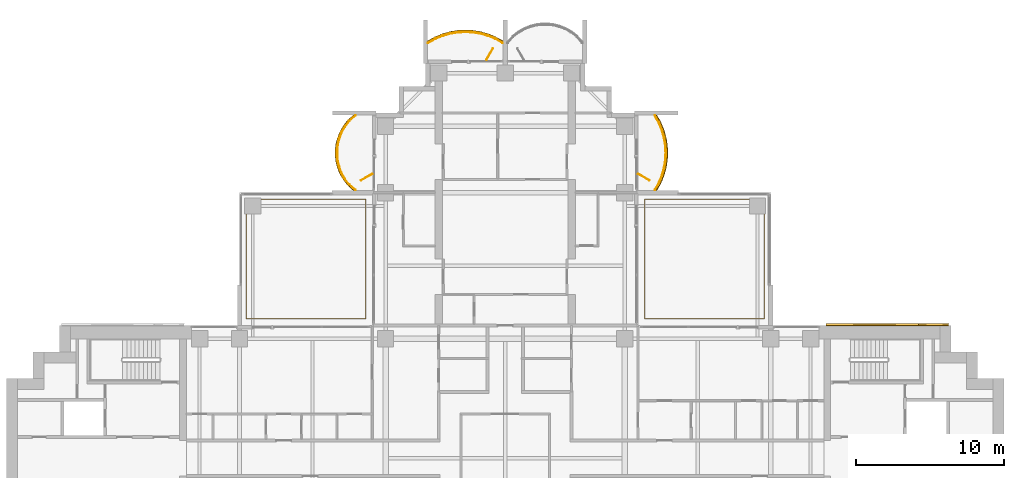
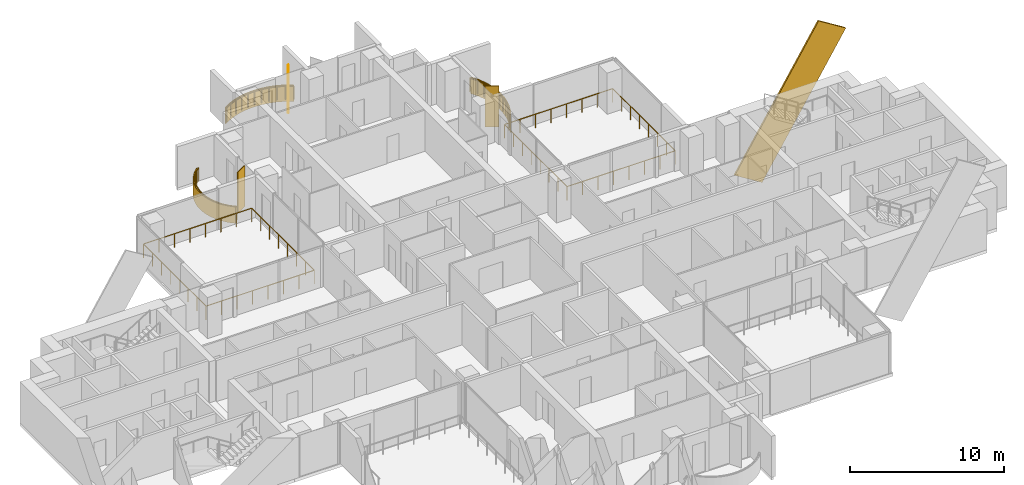
# One storey, part 18 of 19: 5 railings, 4 coverings, 3 shading devices.
"""IFC4 building model written with IfcOpenShell, lengths in metres."""

import ifcopenshell
import ifcopenshell.guid

model = None  # the IFC model being written
_history = None  # IfcOwnerHistory: only IFC2X3 demands one
_inside = {}  # id of a spatial element -> (the spatial element, [elements in it])
_under = {}  # id of a project, library or spatial element -> (it, [spatial elements below it])
_declared = {}  # id of a project -> (the project, [libraries it declares])
_typed = {}  # id of a type object -> (the type object, [elements of that type])
_made_of = {}  # id of a material, layer set ... -> (it, [elements and type objects made of it])


def new_model(schema):
    """Start an empty IFC model of exactly this schema.

    Asked for "IFC4X3", IfcOpenShell would pick the latest addendum, in which some entities
    have other attributes; the version numbers below select the first issue.
    IFC2X3 requires an IfcOwnerHistory on every rooted entity: one is made here for all.
    """
    global model, _history
    if schema == "IFC4X3":
        model = ifcopenshell.file(schema_version=(4, 3, 0, 0))
    else:
        model = ifcopenshell.file(schema=schema)
    _inside.clear()
    _under.clear()
    _declared.clear()
    _typed.clear()
    _made_of.clear()
    _history = None
    if model.schema == "IFC2X3":
        org = make("IfcOrganization", Name="unknown")
        user = make(
            "IfcPersonAndOrganization",
            ThePerson=make("IfcPerson", FamilyName="unknown"),
            TheOrganization=org,
        )
        app = make(
            "IfcApplication",
            ApplicationDeveloper=org,
            Version="unknown",
            ApplicationFullName="unknown",
            ApplicationIdentifier="unknown",
        )
        _history = make(
            "IfcOwnerHistory",
            OwningUser=user,
            OwningApplication=app,
            ChangeAction="ADDED",
            CreationDate=0,
        )
    return model


def make(cls, **values):
    """One entity of the class cls with the attributes given. An attribute that is None is left unset."""
    return model.create_entity(
        cls, **{name: value for name, value in values.items() if value is not None}
    )


def rooted(cls, **values):
    """An entity with a GlobalId (a new one), such as an element, a storey or a relation."""
    return make(cls, GlobalId=ifcopenshell.guid.new(), OwnerHistory=_history, **values)


def si_unit(unit_type, name, prefix=None):
    """IfcSIUnit, for example si_unit("LENGTHUNIT", "METRE", prefix="MILLI")."""
    return make("IfcSIUnit", UnitType=unit_type, Prefix=prefix, Name=name)


def assignment(units):
    """IfcUnitAssignment: the units of a project."""
    return None if units is None else make("IfcUnitAssignment", Units=units)


def point(xyz):
    """IfcCartesianPoint."""
    return None if xyz is None else make("IfcCartesianPoint", Coordinates=xyz)


def direction(xyz):
    """IfcDirection."""
    return None if xyz is None else make("IfcDirection", DirectionRatios=xyz)


def frame(location, z_axis=None, x_axis=None):
    """IfcAxis2Placement3D, a coordinate frame: its origin and axes. An axis left out is left unset."""
    return make(
        "IfcAxis2Placement3D",
        Location=point(location),
        Axis=direction(z_axis),
        RefDirection=direction(x_axis),
    )


def frame_2d(location, x_axis=None):
    """IfcAxis2Placement2D, a coordinate frame in the plane: its origin and x axis."""
    return make(
        "IfcAxis2Placement2D", Location=point(location), RefDirection=direction(x_axis)
    )


def origin():
    """The frame at (0, 0, 0) with its axes left unset."""
    return frame((0.0, 0.0, 0.0))


def origin_2d():
    """The frame at (0, 0) in the plane with its x axis left unset."""
    return frame_2d((0.0, 0.0))


def place(relative_to, where):
    """IfcLocalPlacement: puts the frame where relative to a parent placement (None: the world)."""
    return make(
        "IfcLocalPlacement", PlacementRelTo=relative_to, RelativePlacement=where
    )


def context(
    kind, dimensions, precision=None, world=None, true_north=None, identifier=None
):
    """IfcGeometricRepresentationContext, for example the 3D "Model" context."""
    return make(
        "IfcGeometricRepresentationContext",
        ContextIdentifier=identifier,
        ContextType=kind,
        CoordinateSpaceDimension=dimensions,
        Precision=precision,
        WorldCoordinateSystem=world,
        TrueNorth=true_north,
    )


def subcontext(parent, identifier, kind, view, scale=None):
    """IfcGeometricRepresentationSubContext, for example "Body" below "Model"."""
    return make(
        "IfcGeometricRepresentationSubContext",
        ContextIdentifier=identifier,
        ContextType=kind,
        ParentContext=parent,
        TargetScale=scale,
        TargetView=view,
    )


def project(units=None, contexts=None):
    """IfcProject with its units and contexts."""
    return rooted(
        "IfcProject",
        Name="project",
        RepresentationContexts=contexts,
        UnitsInContext=assignment(units),
    )


def spatial(cls, under=None, at=None, **own):
    """A site, building, storey or space (cls), placed at a placement, below another one or the project."""
    s = rooted(cls, ObjectPlacement=at, **own)
    if under is not None:
        _under.setdefault(under.id(), (under, []))[1].append(s)
    return s


def polyline(points):
    """IfcPolyline through the points."""
    return make("IfcPolyline", Points=[point(p) for p in points])


def profile(cls, at=None, kind="AREA", **sizes):
    """A parametric profile (cls). Its sizes go by their IFC names, for example OverallWidth=200.0."""
    return make(cls, ProfileType=kind, Position=at, **sizes)


def rectangle(**sizes):
    """IfcRectangleProfileDef."""
    return profile("IfcRectangleProfileDef", **sizes)


def outline(outer, holes=None, kind="AREA"):
    """IfcArbitraryClosedProfileDef: a profile drawn as a closed curve; with holes, ...WithVoids."""
    if holes is None:
        return make("IfcArbitraryClosedProfileDef", ProfileType=kind, OuterCurve=outer)
    return make(
        "IfcArbitraryProfileDefWithVoids",
        ProfileType=kind,
        OuterCurve=outer,
        InnerCurves=holes,
    )


def extrude(swept, where, along, depth):
    """IfcExtrudedAreaSolid: the profile swept, set in the frame where, extruded along a direction by depth."""
    return make(
        "IfcExtrudedAreaSolid",
        SweptArea=swept,
        Position=where,
        ExtrudedDirection=direction(along),
        Depth=depth,
    )


def shape(context_of_items, identifier, shape_type, items):
    """IfcShapeRepresentation: the items that make up one representation, for example the "Body"."""
    return make(
        "IfcShapeRepresentation",
        ContextOfItems=context_of_items,
        RepresentationIdentifier=identifier,
        RepresentationType=shape_type,
        Items=items,
    )


def material(Name=None, Category=None):
    """IfcMaterial."""
    return make("IfcMaterial", Name=Name, Category=Category)


def layer(
    of_material, thickness, ventilated=None, Name=None, Category=None, Priority=None
):
    """IfcMaterialLayer: one layer of a wall or slab, of a material (None: an air gap)."""
    return make(
        "IfcMaterialLayer",
        Material=of_material,
        LayerThickness=thickness,
        IsVentilated=ventilated,
        Name=Name,
        Category=Category,
        Priority=Priority,
    )


def layer_set(layers, Name=None):
    """IfcMaterialLayerSet."""
    return make("IfcMaterialLayerSet", MaterialLayers=layers, LayerSetName=Name)


def material_profile(
    of_material, cross_section, Name=None, Category=None, Priority=None
):
    """IfcMaterialProfile: a cross section and its material."""
    return make(
        "IfcMaterialProfile",
        Name=Name,
        Material=of_material,
        Profile=cross_section,
        Priority=Priority,
        Category=Category,
    )


def profile_set(profiles, Name=None, composite=None):
    """IfcMaterialProfileSet."""
    return make(
        "IfcMaterialProfileSet",
        Name=Name,
        MaterialProfiles=profiles,
        CompositeProfile=composite,
    )


def made_of(thing, what):
    """Note that an element or type object is made of a material, layer set ...; save() writes the relation."""
    if what is not None:
        _made_of.setdefault(what.id(), (what, []))[1].append(thing)
    return thing


def type_object(cls, material=None, **own):
    """A type object (cls), such as IfcWallType, which elements share."""
    return made_of(rooted(cls, **own), material)


def element(
    cls,
    number,
    at=None,
    inside=None,
    cuts=None,
    type_object=None,
    material=None,
    context=None,
    identifier="Body",
    shape_type=None,
    held_by="IfcProductDefinitionShape",
    body=None,
    shapes=None,
    **own,
):
    """One element of the class cls, such as IfcWall. Its Tag is "e" and its number.

    at: its placement. inside: the storey or other place that contains it. cuts: it is an
    opening in that element (IfcRelVoidsElement). A single representation is given by context,
    identifier, shape_type and body (its items); several are given by shapes. held_by: the class
    of the entity that holds the representations. save() writes the other relations.
    """
    e = rooted(cls, Tag="e%d" % number, ObjectPlacement=at, **own)
    if body is not None:
        shapes = [shape(context, identifier, shape_type, body)]
    if shapes is not None:
        e.Representation = make(held_by, Representations=shapes)
    if inside is not None:
        _inside.setdefault(inside.id(), (inside, []))[1].append(e)
    if cuts is not None:
        rooted(
            "IfcRelVoidsElement", RelatingBuildingElement=cuts, RelatedOpeningElement=e
        )
    if type_object is not None:
        _typed.setdefault(type_object.id(), (type_object, []))[1].append(e)
    return made_of(e, material)


def aggregate(whole, parts):
    """IfcRelAggregates: a whole, such as a stair, and the parts it consists of."""
    return rooted("IfcRelAggregates", RelatingObject=whole, RelatedObjects=parts)


def save(model, path):
    """Write the relations noted so far, then the file.

    IfcRelAggregates (storeys below a building ...), IfcRelContainedInSpatialStructure (elements
    in a storey), IfcRelDefinesByType, IfcRelAssociatesMaterial and IfcRelDeclares: one each for
    every whole, place, type object, material and project.
    """
    for whole, parts in _under.values():
        aggregate(whole, parts)
    for where, things in _inside.values():
        rooted(
            "IfcRelContainedInSpatialStructure",
            RelatedElements=things,
            RelatingStructure=where,
        )
    for kind, things in _typed.values():
        rooted("IfcRelDefinesByType", RelatedObjects=things, RelatingType=kind)
    for what, things in _made_of.values():
        rooted("IfcRelAssociatesMaterial", RelatedObjects=things, RelatingMaterial=what)
    for by, libraries in _declared.values():
        rooted("IfcRelDeclares", RelatingContext=by, RelatedDefinitions=libraries)
    model.write(path)


model = new_model("IFC4")

# Units and contexts
model_context = context("Model", 3, precision=1e-05, world=origin(), true_north=direction((0.0, 1.0)))
body_context = subcontext(model_context, "Body", "Model", "MODEL_VIEW")
ifc_project = project(units=[si_unit("LENGTHUNIT", "METRE"), si_unit("AREAUNIT", "SQUARE_METRE"), si_unit("VOLUMEUNIT", "CUBIC_METRE"), si_unit("PLANEANGLEUNIT", "RADIAN"), si_unit("MASSUNIT", "GRAM", prefix="KILO")], contexts=[model_context])

# Site, building, storey
site_placement = place(None, origin())
site = spatial("IfcSite", under=ifc_project, at=site_placement, CompositionType="ELEMENT")
building_placement = place(site_placement, origin())
building = spatial("IfcBuilding", under=site, at=building_placement, Name="Perihelion Cross Residences", CompositionType="ELEMENT")
storey_placement = place(building_placement, frame((0.0, 0.0, 105.89990234375)))
storey = spatial("IfcBuildingStorey", under=building, at=storey_placement, Name="L24", CompositionType="ELEMENT", Elevation=105.89990234375)

# Coverings
ifc_material_1 = material(Name="Bronze anodised aluminium", Category="aluminium")
ifc_layer_1 = layer(ifc_material_1, 0.070068359375)
ifc_layer_set_1 = layer_set([ifc_layer_1], Name="Balcony fascia 1300")
covering_type_1 = type_object("IfcCoveringType", Name="Balcony fascia 1300", PredefinedType="CLADDING", material=ifc_layer_set_1)
covering_1_placement = place(storey_placement, frame((0.0, 0.0, -0.199951171875)))
element("IfcCovering", 1, at=covering_1_placement, inside=storey, type_object=covering_type_1, Name="Fascia BF1 L24 north side east bay 2", PredefinedType="CLADDING", context=body_context, shape_type="SweptSolid", body=[
    extrude(outline(polyline([(10.54833984375, 18.629638671875), (10.7607421875, 19.147216796875), (10.906494140625, 19.664794921875), (10.991943359375, 20.182373046875), (11.02001953125, 20.699951171875), (10.991943359375, 21.217529296875), (10.906494140625, 21.735107421875), (10.7607421875, 22.2529296875), (10.54833984375, 22.7705078125), (10.2802734375, 23.25), (10.199951171875, 23.25), (10.4853515625, 22.739990234375), (10.694580078125, 22.22998046875), (10.838134765625, 21.719970703125), (10.92236328125, 21.2099609375), (10.949951171875, 20.699951171875), (10.92236328125, 20.18994140625), (10.838134765625, 19.679931640625), (10.694580078125, 19.169921875), (10.4853515625, 18.659912109375), (10.199951171875, 18.14990234375), (10.2802734375, 18.14990234375), (10.54833984375, 18.629638671875)])), origin(), (0.0, 0.0, 1.0), 1.300048828125),
])
covering_2_placement = place(storey_placement, frame((0.0, 0.0, -0.199951171875)))
element("IfcCovering", 2, at=covering_2_placement, inside=storey, type_object=covering_type_1, Name="Fascia BF1 L24 north tip north bay 2", PredefinedType="CLADDING", context=body_context, shape_type="SweptSolid", body=[
    extrude(outline(polyline([(-0.629638671875, 28.54833984375), (-1.147216796875, 28.7607421875), (-1.664794921875, 28.906494140625), (-2.182373046875, 28.991943359375), (-2.699951171875, 29.02001953125), (-3.217529296875, 28.991943359375), (-3.735107421875, 28.906494140625), (-4.2529296875, 28.7607421875), (-4.7705078125, 28.54833984375), (-5.25, 28.2802734375), (-5.25, 28.199951171875), (-4.739990234375, 28.4853515625), (-4.22998046875, 28.694580078125), (-3.719970703125, 28.838134765625), (-3.2099609375, 28.92236328125), (-2.699951171875, 28.949951171875), (-2.18994140625, 28.92236328125), (-1.679931640625, 28.838134765625), (-1.169921875, 28.694580078125), (-0.659912109375, 28.4853515625), (-0.14990234375, 28.199951171875), (-0.14990234375, 28.2802734375), (-0.629638671875, 28.54833984375)])), origin(), (0.0, 0.0, 1.0), 1.300048828125),
])
covering_3_placement = place(storey_placement, frame((0.0, 0.0, -0.199951171875)))
element("IfcCovering", 3, at=covering_3_placement, inside=storey, type_object=covering_type_1, Name="Fascia BF1 L24 north side west bay 1", PredefinedType="CLADDING", context=body_context, shape_type="SweptSolid", body=[
    extrude(outline(polyline([(-10.674072265625, 22.90478515625), (-10.982666015625, 22.50390625), (-11.20654296875, 22.10302734375), (-11.364013671875, 21.7021484375), (-11.464599609375, 21.30126953125), (-11.513916015625, 20.900390625), (-11.513916015625, 20.49951171875), (-11.464599609375, 20.0986328125), (-11.364013671875, 19.69775390625), (-11.20654296875, 19.296875), (-10.982666015625, 18.89599609375), (-10.674072265625, 18.4951171875), (-10.302734375, 18.14990234375), (-10.199951171875, 18.14990234375), (-10.622314453125, 18.542236328125), (-10.924072265625, 18.9345703125), (-11.143310546875, 19.326904296875), (-11.29736328125, 19.71923828125), (-11.39599609375, 20.111572265625), (-11.444091796875, 20.50390625), (-11.444091796875, 20.896240234375), (-11.39599609375, 21.28857421875), (-11.29736328125, 21.6806640625), (-11.143310546875, 22.072998046875), (-10.924072265625, 22.46533203125), (-10.622314453125, 22.857666015625), (-10.199951171875, 23.25), (-10.302734375, 23.25), (-10.674072265625, 22.90478515625)])), origin(), (0.0, 0.0, 1.0), 1.300048828125),
])

# Railings
ifc_material_2 = material(Name="Bronze anodised aluminium", Category="aluminium")
railing_type = type_object("IfcRailingType", Name="Balcony guard 1100", PredefinedType="GUARDRAIL", material=ifc_material_2)
railing_1_placement = place(storey_placement, frame((10.139892578125, 18.175048828125, 0.0)))
element("IfcRailing", 4, at=railing_1_placement, inside=storey, type_object=railing_type, Name="Guard GU1 L24 north side east bay 2 balcony", PredefinedType="GUARDRAIL", context=body_context, shape_type="SweptSolid", body=[
    extrude(rectangle(XDim=0.048095703125, YDim=0.048095703125, at=origin_2d()), frame((0.0, 0.0, 1.076171875), z_axis=(0.507266632806, 0.861789164031, 0.0), x_axis=(-0.861789164031, 0.507266632806, 0.0)), (0.0, 0.0, 1.0), 0.562744140625),
    extrude(rectangle(XDim=0.048095703125, YDim=0.048095703125, at=origin_2d()), frame((0.285400390625, 0.48486328125, 1.076171875), z_axis=(0.379546636342, 0.925172605972, 0.0), x_axis=(-0.925172605972, 0.379546636342, 0.0)), (0.0, 0.0, 1.0), 0.55126953125),
    extrude(rectangle(XDim=0.048095703125, YDim=0.048095703125, at=origin_2d()), frame((0.49462890625, 0.994873046875, 1.076171875), z_axis=(0.271372618732, 0.962474364231, 0.0), x_axis=(-0.962474364231, 0.271372618732, 0.0)), (0.0, 0.0, 1.0), 0.52978515625),
    extrude(rectangle(XDim=0.048095703125, YDim=0.048095703125, at=origin_2d()), frame((0.638427734375, 1.5048828125, 1.076171875), z_axis=(0.162483799314, 0.986711211531, 0.0), x_axis=(-0.986711211531, 0.162483799314, 0.0)), (0.0, 0.0, 1.0), 0.516845703125),
    extrude(rectangle(XDim=0.048095703125, YDim=0.048095703125, at=origin_2d()), frame((0.722412109375, 2.014892578125, 1.076171875), z_axis=(0.05401390175, 0.998540183677, 0.0), x_axis=(-0.998540183677, 0.05401390175, 0.0)), (0.0, 0.0, 1.0), 0.5107421875),
    extrude(rectangle(XDim=0.048095703125, YDim=0.048095703125, at=origin_2d()), frame((0.75, 2.52490234375, 1.076171875), z_axis=(-0.05401390175, 0.998540183677, 0.0), x_axis=(-0.998540183677, -0.05401390175, 0.0)), (0.0, 0.0, 1.0), 0.5107421875),
    extrude(rectangle(XDim=0.048095703125, YDim=0.048095703125, at=origin_2d()), frame((0.722412109375, 3.034912109375, 1.076171875), z_axis=(-0.162483799314, 0.986711211531, 0.0), x_axis=(-0.986711211531, -0.162483799314, 0.0)), (0.0, 0.0, 1.0), 0.516845703125),
    extrude(rectangle(XDim=0.048095703125, YDim=0.048095703125, at=origin_2d()), frame((0.638427734375, 3.544921875, 1.076171875), z_axis=(-0.271372618732, 0.962474364231, 0.0), x_axis=(-0.962474364231, -0.271372618732, 0.0)), (0.0, 0.0, 1.0), 0.52978515625),
    extrude(rectangle(XDim=0.048095703125, YDim=0.048095703125, at=origin_2d()), frame((0.49462890625, 4.054931640625, 1.076171875), z_axis=(-0.379546636342, 0.925172605972, 0.0), x_axis=(-0.925172605972, -0.379546636342, 0.0)), (0.0, 0.0, 1.0), 0.55126953125),
    extrude(rectangle(XDim=0.048095703125, YDim=0.048095703125, at=origin_2d()), frame((0.285400390625, 4.56494140625, 1.076171875), z_axis=(-0.507076995033, 0.861900760591, 0.0), x_axis=(-0.861900760591, -0.507076995033, 0.0)), (0.0, 0.0, 1.0), 0.562744140625),
    extrude(rectangle(XDim=0.0419921875, YDim=0.0419921875, at=origin_2d()), origin(), (0.0, 0.0, 1.0), 1.052001953125),
    extrude(rectangle(XDim=0.0419921875, YDim=0.0419921875, at=origin_2d()), frame((0.285400390625, 0.48486328125, 0.0)), (0.0, 0.0, 1.0), 1.052001953125),
    extrude(rectangle(XDim=0.0419921875, YDim=0.0419921875, at=origin_2d()), frame((0.49462890625, 0.994873046875, 0.0)), (0.0, 0.0, 1.0), 1.052001953125),
    extrude(rectangle(XDim=0.0419921875, YDim=0.0419921875, at=origin_2d()), frame((0.638427734375, 1.5048828125, 0.0)), (0.0, 0.0, 1.0), 1.052001953125),
    extrude(rectangle(XDim=0.0419921875, YDim=0.0419921875, at=origin_2d()), frame((0.722412109375, 2.014892578125, 0.0)), (0.0, 0.0, 1.0), 1.052001953125),
    extrude(rectangle(XDim=0.0419921875, YDim=0.0419921875, at=origin_2d()), frame((0.75, 2.52490234375, 0.0)), (0.0, 0.0, 1.0), 1.052001953125),
    extrude(rectangle(XDim=0.0419921875, YDim=0.0419921875, at=origin_2d()), frame((0.722412109375, 3.034912109375, 0.0)), (0.0, 0.0, 1.0), 1.052001953125),
    extrude(rectangle(XDim=0.0419921875, YDim=0.0419921875, at=origin_2d()), frame((0.638427734375, 3.544921875, 0.0)), (0.0, 0.0, 1.0), 1.052001953125),
    extrude(rectangle(XDim=0.0419921875, YDim=0.0419921875, at=origin_2d()), frame((0.49462890625, 4.054931640625, 0.0)), (0.0, 0.0, 1.0), 1.052001953125),
    extrude(rectangle(XDim=0.0419921875, YDim=0.0419921875, at=origin_2d()), frame((0.285400390625, 4.56494140625, 0.0)), (0.0, 0.0, 1.0), 1.052001953125),
    extrude(rectangle(XDim=0.0419921875, YDim=0.0419921875, at=origin_2d()), frame((0.0, 5.050048828125, 0.0)), (0.0, 0.0, 1.0), 1.052001953125),
])
railing_2_placement = place(storey_placement, frame((-0.175048828125, 28.139892578125, 0.0)))
element("IfcRailing", 5, at=railing_2_placement, inside=storey, type_object=railing_type, Name="Guard GU1 L24 north tip north bay 2 balcony", PredefinedType="GUARDRAIL", context=body_context, shape_type="SweptSolid", body=[
    extrude(rectangle(XDim=0.048095703125, YDim=0.048095703125, at=origin_2d()), frame((0.0, 0.0, 1.076171875), z_axis=(-0.861789164031, 0.507266632806, 0.0), x_axis=(-0.507266632806, -0.861789164031, 0.0)), (0.0, 0.0, 1.0), 0.562744140625),
    extrude(rectangle(XDim=0.048095703125, YDim=0.048095703125, at=origin_2d()), frame((-0.48486328125, 0.285400390625, 1.076171875), z_axis=(-0.925172605972, 0.379546636342, 0.0), x_axis=(-0.379546636342, -0.925172605972, 0.0)), (0.0, 0.0, 1.0), 0.55126953125),
    extrude(rectangle(XDim=0.048095703125, YDim=0.048095703125, at=origin_2d()), frame((-0.994873046875, 0.49462890625, 1.076171875), z_axis=(-0.962474364231, 0.271372618732, 0.0), x_axis=(-0.271372618732, -0.962474364231, 0.0)), (0.0, 0.0, 1.0), 0.52978515625),
    extrude(rectangle(XDim=0.048095703125, YDim=0.048095703125, at=origin_2d()), frame((-1.5048828125, 0.638427734375, 1.076171875), z_axis=(-0.986711211531, 0.162483799314, 0.0), x_axis=(-0.162483799314, -0.986711211531, 0.0)), (0.0, 0.0, 1.0), 0.516845703125),
    extrude(rectangle(XDim=0.048095703125, YDim=0.048095703125, at=origin_2d()), frame((-2.014892578125, 0.722412109375, 1.076171875), z_axis=(-0.998540183677, 0.05401390175, 0.0), x_axis=(-0.05401390175, -0.998540183677, 0.0)), (0.0, 0.0, 1.0), 0.5107421875),
    extrude(rectangle(XDim=0.048095703125, YDim=0.048095703125, at=origin_2d()), frame((-2.52490234375, 0.75, 1.076171875), z_axis=(-0.998540183677, -0.05401390175, 0.0), x_axis=(0.05401390175, -0.998540183677, 0.0)), (0.0, 0.0, 1.0), 0.5107421875),
    extrude(rectangle(XDim=0.048095703125, YDim=0.048095703125, at=origin_2d()), frame((-3.034912109375, 0.722412109375, 1.076171875), z_axis=(-0.986711211531, -0.162483799314, 0.0), x_axis=(0.162483799314, -0.986711211531, 0.0)), (0.0, 0.0, 1.0), 0.516845703125),
    extrude(rectangle(XDim=0.048095703125, YDim=0.048095703125, at=origin_2d()), frame((-3.544921875, 0.638427734375, 1.076171875), z_axis=(-0.962474364231, -0.271372618732, 0.0), x_axis=(0.271372618732, -0.962474364231, 0.0)), (0.0, 0.0, 1.0), 0.52978515625),
    extrude(rectangle(XDim=0.048095703125, YDim=0.048095703125, at=origin_2d()), frame((-4.054931640625, 0.49462890625, 1.076171875), z_axis=(-0.925172605972, -0.379546636342, 0.0), x_axis=(0.379546636342, -0.925172605972, 0.0)), (0.0, 0.0, 1.0), 0.55126953125),
    extrude(rectangle(XDim=0.048095703125, YDim=0.048095703125, at=origin_2d()), frame((-4.56494140625, 0.285400390625, 1.076171875), z_axis=(-0.861900760591, -0.507076995033, 0.0), x_axis=(0.507076995033, -0.861900760591, 0.0)), (0.0, 0.0, 1.0), 0.562744140625),
    extrude(rectangle(XDim=0.0419921875, YDim=0.0419921875, at=origin_2d()), origin(), (0.0, 0.0, 1.0), 1.052001953125),
    extrude(rectangle(XDim=0.0419921875, YDim=0.0419921875, at=origin_2d()), frame((-0.48486328125, 0.285400390625, 0.0)), (0.0, 0.0, 1.0), 1.052001953125),
    extrude(rectangle(XDim=0.0419921875, YDim=0.0419921875, at=origin_2d()), frame((-0.994873046875, 0.49462890625, 0.0)), (0.0, 0.0, 1.0), 1.052001953125),
    extrude(rectangle(XDim=0.0419921875, YDim=0.0419921875, at=origin_2d()), frame((-1.5048828125, 0.638427734375, 0.0)), (0.0, 0.0, 1.0), 1.052001953125),
    extrude(rectangle(XDim=0.0419921875, YDim=0.0419921875, at=origin_2d()), frame((-2.014892578125, 0.722412109375, 0.0)), (0.0, 0.0, 1.0), 1.052001953125),
    extrude(rectangle(XDim=0.0419921875, YDim=0.0419921875, at=origin_2d()), frame((-2.52490234375, 0.75, 0.0)), (0.0, 0.0, 1.0), 1.052001953125),
    extrude(rectangle(XDim=0.0419921875, YDim=0.0419921875, at=origin_2d()), frame((-3.034912109375, 0.722412109375, 0.0)), (0.0, 0.0, 1.0), 1.052001953125),
    extrude(rectangle(XDim=0.0419921875, YDim=0.0419921875, at=origin_2d()), frame((-3.544921875, 0.638427734375, 0.0)), (0.0, 0.0, 1.0), 1.052001953125),
    extrude(rectangle(XDim=0.0419921875, YDim=0.0419921875, at=origin_2d()), frame((-4.054931640625, 0.49462890625, 0.0)), (0.0, 0.0, 1.0), 1.052001953125),
    extrude(rectangle(XDim=0.0419921875, YDim=0.0419921875, at=origin_2d()), frame((-4.56494140625, 0.285400390625, 0.0)), (0.0, 0.0, 1.0), 1.052001953125),
    extrude(rectangle(XDim=0.0419921875, YDim=0.0419921875, at=origin_2d()), frame((-5.050048828125, 0.0, 0.0)), (0.0, 0.0, 1.0), 1.052001953125),
])
railing_3_placement = place(storey_placement, frame((-10.139892578125, 23.22509765625, 0.0)))
element("IfcRailing", 6, at=railing_3_placement, inside=storey, type_object=railing_type, Name="Guard GU1 L24 north side west bay 1 balcony", PredefinedType="GUARDRAIL", context=body_context, shape_type="SweptSolid", body=[
    extrude(rectangle(XDim=0.048095703125, YDim=0.048095703125, at=origin_2d()), frame((0.0, 0.0, 1.076171875), z_axis=(-0.754464673757, -0.656340655493, 0.0), x_axis=(0.656340655493, -0.754464673757, 0.0)), (0.0, 0.0, 1.0), 0.559814453125),
    extrude(rectangle(XDim=0.048095703125, YDim=0.048095703125, at=origin_2d()), frame((-0.42236328125, -0.367431640625, 1.076171875), z_axis=(-0.60966308455, -0.792660660899, 0.0), x_axis=(0.792660660899, -0.60966308455, 0.0)), (0.0, 0.0, 1.0), 0.494873046875),
    extrude(rectangle(XDim=0.048095703125, YDim=0.048095703125, at=origin_2d()), frame((-0.72412109375, -0.759765625, 1.076171875), z_axis=(-0.487809182674, -0.872950285698, 0.0), x_axis=(0.872950285698, -0.487809182674, 0.0)), (0.0, 0.0, 1.0), 0.449462890625),
    extrude(rectangle(XDim=0.048095703125, YDim=0.048095703125, at=origin_2d()), frame((-0.943359375, -1.152099609375, 1.076171875), z_axis=(-0.365491079925, -0.930814842219, 0.0), x_axis=(0.930814842219, -0.365491079925, 0.0)), (0.0, 0.0, 1.0), 0.42138671875),
    extrude(rectangle(XDim=0.048095703125, YDim=0.048095703125, at=origin_2d()), frame((-1.097412109375, -1.54443359375, 1.076171875), z_axis=(-0.243956193074, -0.969786252666, 0.0), x_axis=(0.969786252666, -0.243956193074, 0.0)), (0.0, 0.0, 1.0), 0.404296875),
    extrude(rectangle(XDim=0.048095703125, YDim=0.048095703125, at=origin_2d()), frame((-1.196044921875, -1.9365234375, 1.076171875), z_axis=(-0.121677797999, -0.992569651699, 0.0), x_axis=(0.992569651699, -0.121677797999, 0.0)), (0.0, 0.0, 1.0), 0.395263671875),
    extrude(rectangle(XDim=0.048095703125, YDim=0.048095703125, at=origin_2d()), frame((-1.244140625, -2.328857421875, 1.076171875), z_axis=(0.0, -1.0, 0.0), x_axis=(1.0, 0.0, 0.0)), (0.0, 0.0, 1.0), 0.392333984375),
    extrude(rectangle(XDim=0.048095703125, YDim=0.048095703125, at=origin_2d()), frame((-1.244140625, -2.72119140625, 1.076171875), z_axis=(0.121677797999, -0.992569651699, 0.0), x_axis=(0.992569651699, 0.121677797999, 0.0)), (0.0, 0.0, 1.0), 0.395263671875),
    extrude(rectangle(XDim=0.048095703125, YDim=0.048095703125, at=origin_2d()), frame((-1.196044921875, -3.113525390625, 1.076171875), z_axis=(0.243813411509, -0.969822159145, 0.0), x_axis=(0.969822159145, 0.243813411509, 0.0)), (0.0, 0.0, 1.0), 0.404541015625),
    extrude(rectangle(XDim=0.048095703125, YDim=0.048095703125, at=origin_2d()), frame((-1.097412109375, -3.505859375, 1.076171875), z_axis=(0.365491079925, -0.930814842219, 0.0), x_axis=(0.930814842219, 0.365491079925, 0.0)), (0.0, 0.0, 1.0), 0.42138671875),
    extrude(rectangle(XDim=0.048095703125, YDim=0.048095703125, at=origin_2d()), frame((-0.943359375, -3.898193359375, 1.076171875), z_axis=(0.487809182674, -0.872950285698, 0.0), x_axis=(0.872950285698, 0.487809182674, 0.0)), (0.0, 0.0, 1.0), 0.449462890625),
    extrude(rectangle(XDim=0.048095703125, YDim=0.048095703125, at=origin_2d()), frame((-0.72412109375, -4.29052734375, 1.076171875), z_axis=(0.60966308455, -0.792660660899, 0.0), x_axis=(0.792660660899, 0.60966308455, 0.0)), (0.0, 0.0, 1.0), 0.494873046875),
    extrude(rectangle(XDim=0.048095703125, YDim=0.048095703125, at=origin_2d()), frame((-0.42236328125, -4.682861328125, 1.076171875), z_axis=(0.754680648599, -0.656092309534, 0.0), x_axis=(0.656092309534, 0.754680648599, 0.0)), (0.0, 0.0, 1.0), 0.5595703125),
    extrude(rectangle(XDim=0.0419921875, YDim=0.0419921875, at=origin_2d()), origin(), (0.0, 0.0, 1.0), 1.052001953125),
    extrude(rectangle(XDim=0.0419921875, YDim=0.0419921875, at=origin_2d()), frame((-0.42236328125, -0.367431640625, 0.0)), (0.0, 0.0, 1.0), 1.052001953125),
    extrude(rectangle(XDim=0.0419921875, YDim=0.0419921875, at=origin_2d()), frame((-0.72412109375, -0.759765625, 0.0)), (0.0, 0.0, 1.0), 1.052001953125),
    extrude(rectangle(XDim=0.0419921875, YDim=0.0419921875, at=origin_2d()), frame((-0.943359375, -1.152099609375, 0.0)), (0.0, 0.0, 1.0), 1.052001953125),
    extrude(rectangle(XDim=0.0419921875, YDim=0.0419921875, at=origin_2d()), frame((-1.097412109375, -1.54443359375, 0.0)), (0.0, 0.0, 1.0), 1.052001953125),
    extrude(rectangle(XDim=0.0419921875, YDim=0.0419921875, at=origin_2d()), frame((-1.196044921875, -1.9365234375, 0.0)), (0.0, 0.0, 1.0), 1.052001953125),
    extrude(rectangle(XDim=0.0419921875, YDim=0.0419921875, at=origin_2d()), frame((-1.244140625, -2.328857421875, 0.0)), (0.0, 0.0, 1.0), 1.052001953125),
    extrude(rectangle(XDim=0.0419921875, YDim=0.0419921875, at=origin_2d()), frame((-1.244140625, -2.72119140625, 0.0)), (0.0, 0.0, 1.0), 1.052001953125),
    extrude(rectangle(XDim=0.0419921875, YDim=0.0419921875, at=origin_2d()), frame((-1.196044921875, -3.113525390625, 0.0)), (0.0, 0.0, 1.0), 1.052001953125),
    extrude(rectangle(XDim=0.0419921875, YDim=0.0419921875, at=origin_2d()), frame((-1.097412109375, -3.505859375, 0.0)), (0.0, 0.0, 1.0), 1.052001953125),
    extrude(rectangle(XDim=0.0419921875, YDim=0.0419921875, at=origin_2d()), frame((-0.943359375, -3.898193359375, 0.0)), (0.0, 0.0, 1.0), 1.052001953125),
    extrude(rectangle(XDim=0.0419921875, YDim=0.0419921875, at=origin_2d()), frame((-0.72412109375, -4.29052734375, 0.0)), (0.0, 0.0, 1.0), 1.052001953125),
    extrude(rectangle(XDim=0.0419921875, YDim=0.0419921875, at=origin_2d()), frame((-0.42236328125, -4.682861328125, 0.0)), (0.0, 0.0, 1.0), 1.052001953125),
    extrude(rectangle(XDim=0.0419921875, YDim=0.0419921875, at=origin_2d()), frame((0.0, -5.050048828125, 0.0)), (0.0, 0.0, 1.0), 1.052001953125),
])
railing_4_placement = place(storey_placement, frame((17.550048828125, 9.449951171875, 0.0)))
element("IfcRailing", 7, at=railing_4_placement, inside=storey, type_object=railing_type, Name="Guard GU1 L24 pocket north-east 1", PredefinedType="GUARDRAIL", context=body_context, shape_type="SweptSolid", body=[
    extrude(rectangle(XDim=0.048095703125, YDim=0.048095703125, at=origin_2d()), frame((0.0, 0.0, 1.076171875), z_axis=(-1.0, 0.0, 0.0), x_axis=(0.0, -1.0, 0.0)), (0.0, 0.0, 1.0), 8.10009765625),
    extrude(rectangle(XDim=0.048095703125, YDim=0.048095703125, at=origin_2d()), frame((-8.10009765625, 0.0, 1.076171875), z_axis=(0.0, 1.0, 0.0), x_axis=(-1.0, 0.0, 0.0)), (0.0, 0.0, 1.0), 8.10009765625),
    extrude(rectangle(XDim=0.048095703125, YDim=0.048095703125, at=origin_2d()), frame((-8.10009765625, 8.10009765625, 1.076171875), z_axis=(1.0, 0.0, 0.0), x_axis=(0.0, 1.0, 0.0)), (0.0, 0.0, 1.0), 8.10009765625),
    extrude(rectangle(XDim=0.048095703125, YDim=0.048095703125, at=origin_2d()), frame((0.0, 8.10009765625, 1.076171875), z_axis=(0.0, -1.0, 0.0), x_axis=(1.0, 0.0, 0.0)), (0.0, 0.0, 1.0), 8.10009765625),
    extrude(rectangle(XDim=0.0419921875, YDim=0.0419921875, at=origin_2d()), origin(), (0.0, 0.0, 1.0), 1.052001953125),
    extrude(rectangle(XDim=0.0419921875, YDim=0.0419921875, at=origin_2d()), frame((-1.1572265625, 0.0, 0.0)), (0.0, 0.0, 1.0), 1.052001953125),
    extrude(rectangle(XDim=0.0419921875, YDim=0.0419921875, at=origin_2d()), frame((-2.314208984375, 0.0, 0.0)), (0.0, 0.0, 1.0), 1.052001953125),
    extrude(rectangle(XDim=0.0419921875, YDim=0.0419921875, at=origin_2d()), frame((-3.471435546875, 0.0, 0.0)), (0.0, 0.0, 1.0), 1.052001953125),
    extrude(rectangle(XDim=0.0419921875, YDim=0.0419921875, at=origin_2d()), frame((-4.628662109375, 0.0, 0.0)), (0.0, 0.0, 1.0), 1.052001953125),
    extrude(rectangle(XDim=0.0419921875, YDim=0.0419921875, at=origin_2d()), frame((-5.785888671875, 0.0, 0.0)), (0.0, 0.0, 1.0), 1.052001953125),
    extrude(rectangle(XDim=0.0419921875, YDim=0.0419921875, at=origin_2d()), frame((-6.94287109375, 0.0, 0.0)), (0.0, 0.0, 1.0), 1.052001953125),
    extrude(rectangle(XDim=0.0419921875, YDim=0.0419921875, at=origin_2d()), frame((-8.10009765625, 0.0, 0.0)), (0.0, 0.0, 1.0), 1.052001953125),
    extrude(rectangle(XDim=0.0419921875, YDim=0.0419921875, at=origin_2d()), frame((-8.10009765625, 1.1572265625, 0.0)), (0.0, 0.0, 1.0), 1.052001953125),
    extrude(rectangle(XDim=0.0419921875, YDim=0.0419921875, at=origin_2d()), frame((-8.10009765625, 2.314208984375, 0.0)), (0.0, 0.0, 1.0), 1.052001953125),
    extrude(rectangle(XDim=0.0419921875, YDim=0.0419921875, at=origin_2d()), frame((-8.10009765625, 3.471435546875, 0.0)), (0.0, 0.0, 1.0), 1.052001953125),
    extrude(rectangle(XDim=0.0419921875, YDim=0.0419921875, at=origin_2d()), frame((-8.10009765625, 4.628662109375, 0.0)), (0.0, 0.0, 1.0), 1.052001953125),
    extrude(rectangle(XDim=0.0419921875, YDim=0.0419921875, at=origin_2d()), frame((-8.10009765625, 5.785888671875, 0.0)), (0.0, 0.0, 1.0), 1.052001953125),
    extrude(rectangle(XDim=0.0419921875, YDim=0.0419921875, at=origin_2d()), frame((-8.10009765625, 6.94287109375, 0.0)), (0.0, 0.0, 1.0), 1.052001953125),
    extrude(rectangle(XDim=0.0419921875, YDim=0.0419921875, at=origin_2d()), frame((-8.10009765625, 8.10009765625, 0.0)), (0.0, 0.0, 1.0), 1.052001953125),
    extrude(rectangle(XDim=0.0419921875, YDim=0.0419921875, at=origin_2d()), frame((-6.94287109375, 8.10009765625, 0.0)), (0.0, 0.0, 1.0), 1.052001953125),
    extrude(rectangle(XDim=0.0419921875, YDim=0.0419921875, at=origin_2d()), frame((-5.785888671875, 8.10009765625, 0.0)), (0.0, 0.0, 1.0), 1.052001953125),
    extrude(rectangle(XDim=0.0419921875, YDim=0.0419921875, at=origin_2d()), frame((-4.628662109375, 8.10009765625, 0.0)), (0.0, 0.0, 1.0), 1.052001953125),
    extrude(rectangle(XDim=0.0419921875, YDim=0.0419921875, at=origin_2d()), frame((-3.471435546875, 8.10009765625, 0.0)), (0.0, 0.0, 1.0), 1.052001953125),
    extrude(rectangle(XDim=0.0419921875, YDim=0.0419921875, at=origin_2d()), frame((-2.314208984375, 8.10009765625, 0.0)), (0.0, 0.0, 1.0), 1.052001953125),
    extrude(rectangle(XDim=0.0419921875, YDim=0.0419921875, at=origin_2d()), frame((-1.1572265625, 8.10009765625, 0.0)), (0.0, 0.0, 1.0), 1.052001953125),
    extrude(rectangle(XDim=0.0419921875, YDim=0.0419921875, at=origin_2d()), frame((0.0, 8.10009765625, 0.0)), (0.0, 0.0, 1.0), 1.052001953125),
    extrude(rectangle(XDim=0.0419921875, YDim=0.0419921875, at=origin_2d()), frame((0.0, 6.94287109375, 0.0)), (0.0, 0.0, 1.0), 1.052001953125),
    extrude(rectangle(XDim=0.0419921875, YDim=0.0419921875, at=origin_2d()), frame((0.0, 5.785888671875, 0.0)), (0.0, 0.0, 1.0), 1.052001953125),
    extrude(rectangle(XDim=0.0419921875, YDim=0.0419921875, at=origin_2d()), frame((0.0, 4.628662109375, 0.0)), (0.0, 0.0, 1.0), 1.052001953125),
    extrude(rectangle(XDim=0.0419921875, YDim=0.0419921875, at=origin_2d()), frame((0.0, 3.471435546875, 0.0)), (0.0, 0.0, 1.0), 1.052001953125),
    extrude(rectangle(XDim=0.0419921875, YDim=0.0419921875, at=origin_2d()), frame((0.0, 2.314208984375, 0.0)), (0.0, 0.0, 1.0), 1.052001953125),
    extrude(rectangle(XDim=0.0419921875, YDim=0.0419921875, at=origin_2d()), frame((0.0, 1.1572265625, 0.0)), (0.0, 0.0, 1.0), 1.052001953125),
])
railing_5_placement = place(storey_placement, frame((-9.449951171875, 9.449951171875, 0.0)))
element("IfcRailing", 8, at=railing_5_placement, inside=storey, type_object=railing_type, Name="Guard GU1 L24 pocket north-west 1", PredefinedType="GUARDRAIL", context=body_context, shape_type="SweptSolid", body=[
    extrude(rectangle(XDim=0.048095703125, YDim=0.048095703125, at=origin_2d()), frame((0.0, 0.0, 1.076171875), z_axis=(-1.0, 0.0, 0.0), x_axis=(0.0, -1.0, 0.0)), (0.0, 0.0, 1.0), 8.10009765625),
    extrude(rectangle(XDim=0.048095703125, YDim=0.048095703125, at=origin_2d()), frame((-8.10009765625, 0.0, 1.076171875), z_axis=(0.0, 1.0, 0.0), x_axis=(-1.0, 0.0, 0.0)), (0.0, 0.0, 1.0), 8.10009765625),
    extrude(rectangle(XDim=0.048095703125, YDim=0.048095703125, at=origin_2d()), frame((-8.10009765625, 8.10009765625, 1.076171875), z_axis=(1.0, 0.0, 0.0), x_axis=(0.0, 1.0, 0.0)), (0.0, 0.0, 1.0), 8.10009765625),
    extrude(rectangle(XDim=0.048095703125, YDim=0.048095703125, at=origin_2d()), frame((0.0, 8.10009765625, 1.076171875), z_axis=(0.0, -1.0, 0.0), x_axis=(1.0, 0.0, 0.0)), (0.0, 0.0, 1.0), 8.10009765625),
    extrude(rectangle(XDim=0.0419921875, YDim=0.0419921875, at=origin_2d()), origin(), (0.0, 0.0, 1.0), 1.052001953125),
    extrude(rectangle(XDim=0.0419921875, YDim=0.0419921875, at=origin_2d()), frame((-1.1572265625, 0.0, 0.0)), (0.0, 0.0, 1.0), 1.052001953125),
    extrude(rectangle(XDim=0.0419921875, YDim=0.0419921875, at=origin_2d()), frame((-2.314208984375, 0.0, 0.0)), (0.0, 0.0, 1.0), 1.052001953125),
    extrude(rectangle(XDim=0.0419921875, YDim=0.0419921875, at=origin_2d()), frame((-3.471435546875, 0.0, 0.0)), (0.0, 0.0, 1.0), 1.052001953125),
    extrude(rectangle(XDim=0.0419921875, YDim=0.0419921875, at=origin_2d()), frame((-4.628662109375, 0.0, 0.0)), (0.0, 0.0, 1.0), 1.052001953125),
    extrude(rectangle(XDim=0.0419921875, YDim=0.0419921875, at=origin_2d()), frame((-5.785888671875, 0.0, 0.0)), (0.0, 0.0, 1.0), 1.052001953125),
    extrude(rectangle(XDim=0.0419921875, YDim=0.0419921875, at=origin_2d()), frame((-6.94287109375, 0.0, 0.0)), (0.0, 0.0, 1.0), 1.052001953125),
    extrude(rectangle(XDim=0.0419921875, YDim=0.0419921875, at=origin_2d()), frame((-8.10009765625, 0.0, 0.0)), (0.0, 0.0, 1.0), 1.052001953125),
    extrude(rectangle(XDim=0.0419921875, YDim=0.0419921875, at=origin_2d()), frame((-8.10009765625, 1.1572265625, 0.0)), (0.0, 0.0, 1.0), 1.052001953125),
    extrude(rectangle(XDim=0.0419921875, YDim=0.0419921875, at=origin_2d()), frame((-8.10009765625, 2.314208984375, 0.0)), (0.0, 0.0, 1.0), 1.052001953125),
    extrude(rectangle(XDim=0.0419921875, YDim=0.0419921875, at=origin_2d()), frame((-8.10009765625, 3.471435546875, 0.0)), (0.0, 0.0, 1.0), 1.052001953125),
    extrude(rectangle(XDim=0.0419921875, YDim=0.0419921875, at=origin_2d()), frame((-8.10009765625, 4.628662109375, 0.0)), (0.0, 0.0, 1.0), 1.052001953125),
    extrude(rectangle(XDim=0.0419921875, YDim=0.0419921875, at=origin_2d()), frame((-8.10009765625, 5.785888671875, 0.0)), (0.0, 0.0, 1.0), 1.052001953125),
    extrude(rectangle(XDim=0.0419921875, YDim=0.0419921875, at=origin_2d()), frame((-8.10009765625, 6.94287109375, 0.0)), (0.0, 0.0, 1.0), 1.052001953125),
    extrude(rectangle(XDim=0.0419921875, YDim=0.0419921875, at=origin_2d()), frame((-8.10009765625, 8.10009765625, 0.0)), (0.0, 0.0, 1.0), 1.052001953125),
    extrude(rectangle(XDim=0.0419921875, YDim=0.0419921875, at=origin_2d()), frame((-6.94287109375, 8.10009765625, 0.0)), (0.0, 0.0, 1.0), 1.052001953125),
    extrude(rectangle(XDim=0.0419921875, YDim=0.0419921875, at=origin_2d()), frame((-5.785888671875, 8.10009765625, 0.0)), (0.0, 0.0, 1.0), 1.052001953125),
    extrude(rectangle(XDim=0.0419921875, YDim=0.0419921875, at=origin_2d()), frame((-4.628662109375, 8.10009765625, 0.0)), (0.0, 0.0, 1.0), 1.052001953125),
    extrude(rectangle(XDim=0.0419921875, YDim=0.0419921875, at=origin_2d()), frame((-3.471435546875, 8.10009765625, 0.0)), (0.0, 0.0, 1.0), 1.052001953125),
    extrude(rectangle(XDim=0.0419921875, YDim=0.0419921875, at=origin_2d()), frame((-2.314208984375, 8.10009765625, 0.0)), (0.0, 0.0, 1.0), 1.052001953125),
    extrude(rectangle(XDim=0.0419921875, YDim=0.0419921875, at=origin_2d()), frame((-1.1572265625, 8.10009765625, 0.0)), (0.0, 0.0, 1.0), 1.052001953125),
    extrude(rectangle(XDim=0.0419921875, YDim=0.0419921875, at=origin_2d()), frame((0.0, 8.10009765625, 0.0)), (0.0, 0.0, 1.0), 1.052001953125),
    extrude(rectangle(XDim=0.0419921875, YDim=0.0419921875, at=origin_2d()), frame((0.0, 6.94287109375, 0.0)), (0.0, 0.0, 1.0), 1.052001953125),
    extrude(rectangle(XDim=0.0419921875, YDim=0.0419921875, at=origin_2d()), frame((0.0, 5.785888671875, 0.0)), (0.0, 0.0, 1.0), 1.052001953125),
    extrude(rectangle(XDim=0.0419921875, YDim=0.0419921875, at=origin_2d()), frame((0.0, 4.628662109375, 0.0)), (0.0, 0.0, 1.0), 1.052001953125),
    extrude(rectangle(XDim=0.0419921875, YDim=0.0419921875, at=origin_2d()), frame((0.0, 3.471435546875, 0.0)), (0.0, 0.0, 1.0), 1.052001953125),
    extrude(rectangle(XDim=0.0419921875, YDim=0.0419921875, at=origin_2d()), frame((0.0, 2.314208984375, 0.0)), (0.0, 0.0, 1.0), 1.052001953125),
    extrude(rectangle(XDim=0.0419921875, YDim=0.0419921875, at=origin_2d()), frame((0.0, 1.1572265625, 0.0)), (0.0, 0.0, 1.0), 1.052001953125),
])

# Covering
ifc_material_3 = material(Name="Bronze anodised aluminium", Category="aluminium")
ifc_material_profile = material_profile(ifc_material_3, rectangle(XDim=0.125, YDim=2.39990234375, at=origin_2d()), Name="Bronze cladding band 2400")
ifc_profile_set = profile_set([ifc_material_profile], Name="Bronze anodised aluminium")
covering_type_2 = type_object("IfcCoveringType", Name="Bronze cladding band 2400", PredefinedType="CLADDING", material=ifc_profile_set)
covering_4_placement = place(storey_placement, frame((22.767578125, 9.0625, -2.714111328125), z_axis=(0.529915403603, 0.0, 0.848050508534), x_axis=(0.0, 1.0, 0.0)))
element("IfcCovering", 9, at=covering_4_placement, inside=storey, type_object=covering_type_2, Name="Core cladding band, east core", PredefinedType="CLADDING", context=body_context, shape_type="SweptSolid", body=[
    extrude(rectangle(XDim=0.125, YDim=2.39990234375, at=origin_2d()), origin(), (0.0, 0.0, 1.0), 11.822021484375),
])

# Shading devices
ifc_material_4 = material(Name="Bronze anodised aluminium", Category="aluminium")
ifc_layer_2 = layer(ifc_material_4, 0.050048828125)
ifc_layer_set_2 = layer_set([ifc_layer_2], Name="Bronze fin 900")
shading_device_type = type_object("IfcShadingDeviceType", Name="Bronze fin 900", PredefinedType="USERDEFINED", material=ifc_layer_set_2)
for number, where, z_axis, x_axis, name in (
    (10, (9.3896484375, 19.050048828125, 0.0), (0.0, 0.0, 1.0), (0.866025403784, -0.5, 0.0), "Fin FN1 L24 north side east bay 2"),
    (11, (-1.050048828125, 27.3896484375, 0.0), (0.0, 0.0, 1.0), (0.5, 0.866025403784, 0.0), "Fin FN1 L24 north tip north bay 2"),
    (12, (-9.3896484375, 19.050048828125, 0.0), (0.0, 0.0, 1.0), (-0.866025403784, -0.5, 0.0), "Fin FN1 L24 north side west bay 1"),
):
    element("IfcShadingDevice", number, at=place(storey_placement, frame(where, z_axis=z_axis, x_axis=x_axis)), inside=storey, type_object=shading_device_type, Name=name, ObjectType="FIN", PredefinedType="USERDEFINED", context=body_context, shape_type="SweptSolid", body=[
        extrude(rectangle(XDim=0.89990234375, YDim=0.050048828125, at=origin_2d()), origin(), (0.0, 0.0, 1.0), 3.25),
    ])

save(model, "model.ifc")
